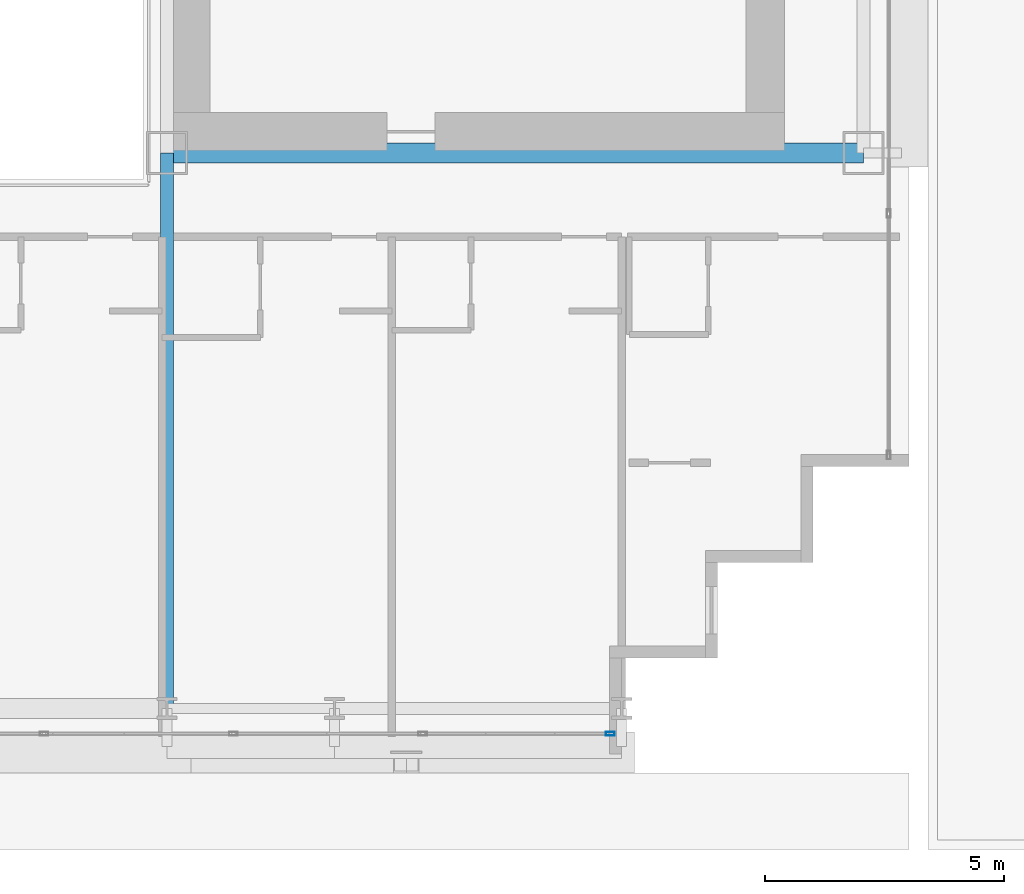
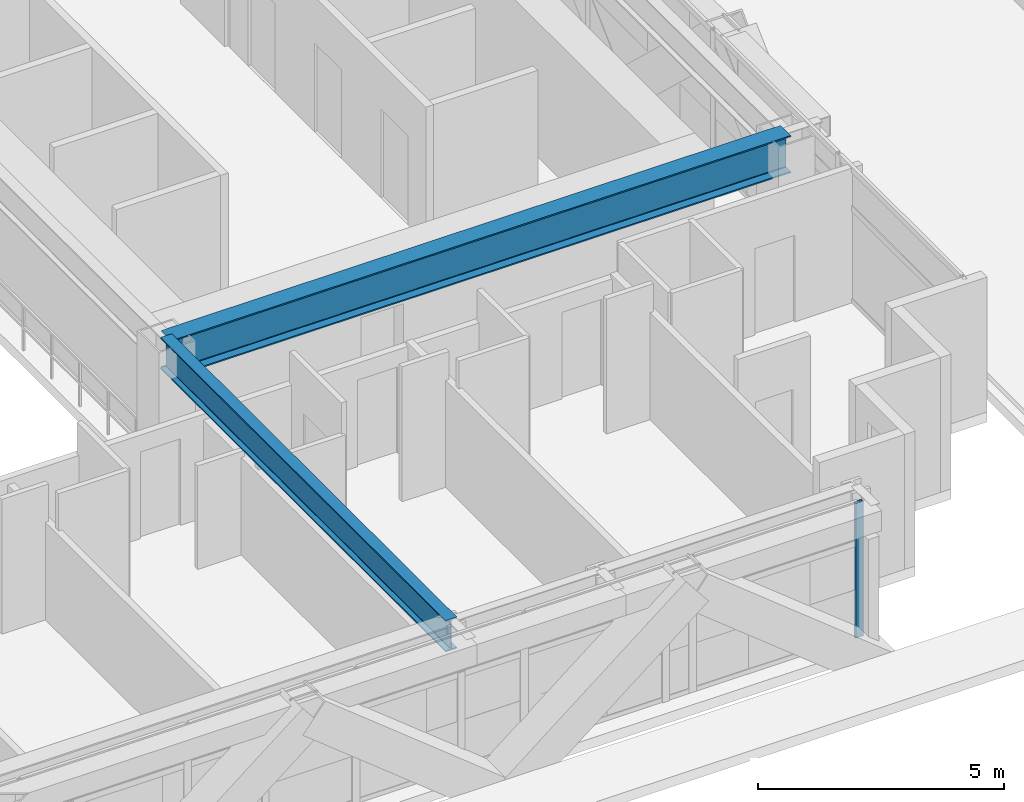
# One storey, part 10 of 35: 2 beams, 1 member, 1 element without a shape of its own.
"""IFC4 building model written with IfcOpenShell, lengths in metres."""

from ifc_helpers import new_model, si_unit, direction, frame, origin, origin_2d, place, context, subcontext, project, spatial, hollow_rectangle, i_section, extrude, source, transform, mapped, material, layer, layer_set, material_profile, profile_set, type_object, element, aggregate, save


model = new_model("IFC4")

# Units and contexts
model_context = context("Model", 3, precision=1e-05, world=origin(), true_north=direction((0.0, 1.0)))
body_context = subcontext(model_context, "Body", "Model", "MODEL_VIEW")
ifc_project = project(units=[si_unit("LENGTHUNIT", "METRE"), si_unit("AREAUNIT", "SQUARE_METRE"), si_unit("VOLUMEUNIT", "CUBIC_METRE"), si_unit("PLANEANGLEUNIT", "RADIAN"), si_unit("MASSUNIT", "GRAM", prefix="KILO")], contexts=[model_context])

# Site, building, storey
site_placement = place(None, origin())
site = spatial("IfcSite", under=ifc_project, at=site_placement, CompositionType="ELEMENT")
building_placement = place(site_placement, origin())
building = spatial("IfcBuilding", under=site, at=building_placement, Name="Ocotamira Hotel", CompositionType="ELEMENT")
storey_placement = place(building_placement, frame((0.0, 0.0, 34.800048828125)))
storey = spatial("IfcBuildingStorey", under=building, at=storey_placement, Name="L07", CompositionType="ELEMENT", Elevation=34.800048828125)

# Beams
ifc_material_1 = material(Name="Steel ASTM A992 Grade 50", Category="steel")
ifc_material_profile_1 = material_profile(ifc_material_1, i_section(OverallWidth=0.41796875, OverallDepth=0.927001953125, WebThickness=0.019287109375, FlangeThickness=0.031982421875, FilletRadius=0.02392578125, at=origin_2d()), Name="W36X231")
ifc_profile_set_1 = profile_set([ifc_material_profile_1], Name="Steel ASTM A992 Grade 50")
beam_type_1 = type_object("IfcBeamType", Name="BM-GIRD-W36X231", PredefinedType="BEAM", material=ifc_profile_set_1)
shared_shape_1 = source(origin(), body_context, "Body", "SweptSolid", [
    extrude(i_section(OverallWidth=0.41796875, OverallDepth=0.927001953125, WebThickness=0.019287109375, FlangeThickness=0.031982421875, FilletRadius=0.02392578125, at=origin_2d()), origin(), (0.0, 0.0, 1.0), 14.550048828125),
])
beam_1_placement = place(storey_placement, frame((40.5, 14.550048828125, 2.886474609375), z_axis=(1.0, 0.0, 0.0), x_axis=(0.0, 1.0, 0.0)))
element("IfcBeam", 1, at=beam_1_placement, inside=storey, type_object=beam_type_1, Name="L07 Girder Y14.55 X40.5-55.05", PredefinedType="BEAM", context=body_context, shape_type="MappedRepresentation", body=[
    mapped(shared_shape_1, transform((0.0, 0.0, 0.0), scale=1.0)),
])
ifc_material_profile_2 = material_profile(ifc_material_1, i_section(OverallWidth=0.26611328125, OverallDepth=0.779052734375, WebThickness=0.0166015625, FlangeThickness=0.030029296875, FilletRadius=0.01806640625, at=origin_2d()), Name="W30X148")
ifc_profile_set_2 = profile_set([ifc_material_profile_2], Name="Steel ASTM A992 Grade 50")
beam_type_2 = type_object("IfcBeamType", Name="BM-GIRD-W30X148", PredefinedType="BEAM", material=ifc_profile_set_2)
shared_shape_2 = source(origin(), body_context, "Body", "SweptSolid", [
    extrude(i_section(OverallWidth=0.26611328125, OverallDepth=0.779052734375, WebThickness=0.0166015625, FlangeThickness=0.030029296875, FilletRadius=0.01806640625, at=origin_2d()), origin(), (0.0, 0.0, 1.0), 11.60009765625),
])
beam_2_placement = place(storey_placement, frame((40.5, 2.949951171875, 2.96044921875), z_axis=(0.0, 1.0, 0.0), x_axis=(-1.0, 0.0, 0.0)))
element("IfcBeam", 2, at=beam_2_placement, inside=storey, type_object=beam_type_2, Name="L07 Beam X40.5 Y2.95-14.55", PredefinedType="BEAM", context=body_context, shape_type="MappedRepresentation", body=[
    mapped(shared_shape_2, transform((0.0, 0.0, 0.0), scale=1.0)),
])

# Curtain wall, member
ifc_material_2 = material(Name="Anodised pale-metal aluminium and solar glass", Category="aluminium")
ifc_layer = layer(ifc_material_2, 0.179931640625)
ifc_layer_set = layer_set([ifc_layer], Name="Anodised pale-metal aluminium and solar glass")
curtain_wall_type = type_object("IfcCurtainWallType", Name="CW-SYS2-Z1", PredefinedType="NOTDEFINED", material=ifc_layer_set)
curtain_wall_placement = place(storey_placement, origin())
curtain_wall = element("IfcCurtainWall", 3, at=curtain_wall_placement, inside=storey, type_object=curtain_wall_type, Name="L07 Curtain Wall CW-2 CW-L07-S1", PredefinedType="NOTDEFINED")
ifc_material_3 = material(Name="Anodised pale-metal aluminium 6063-T6", Category="aluminium")
ifc_material_profile_3 = material_profile(ifc_material_3, hollow_rectangle(XDim=0.080078125, YDim=0.179931640625, WallThickness=0.006103515625, at=origin_2d()), Name="HSS180X80X6")
ifc_profile_set_3 = profile_set([ifc_material_profile_3], Name="Anodised pale-metal aluminium 6063-T6")
member_type = type_object("IfcMemberType", Name="CWM-180X75", PredefinedType="MULLION", material=ifc_profile_set_3)
shared_shape_3 = source(origin(), body_context, "Body", "SweptSolid", [
    extrude(hollow_rectangle(XDim=0.080078125, YDim=0.179931640625, WallThickness=0.006103515625, at=origin_2d()), origin(), (0.0, 0.0, 1.0), 3.349853515625),
])
member_placement = place(storey_placement, frame((49.760009765625, 2.419921875, 0.0), z_axis=(0.0, 0.0, 1.0), x_axis=(0.0, 1.0, 0.0)))
member = element("IfcMember", 4, at=member_placement, type_object=member_type, Name="CW-2 mullion 10", PredefinedType="MULLION", context=body_context, shape_type="MappedRepresentation", body=[
    mapped(shared_shape_3, transform((0.0, 0.0, 0.0), scale=1.0)),
])
aggregate(curtain_wall, [member])

save(model, "model.ifc")
